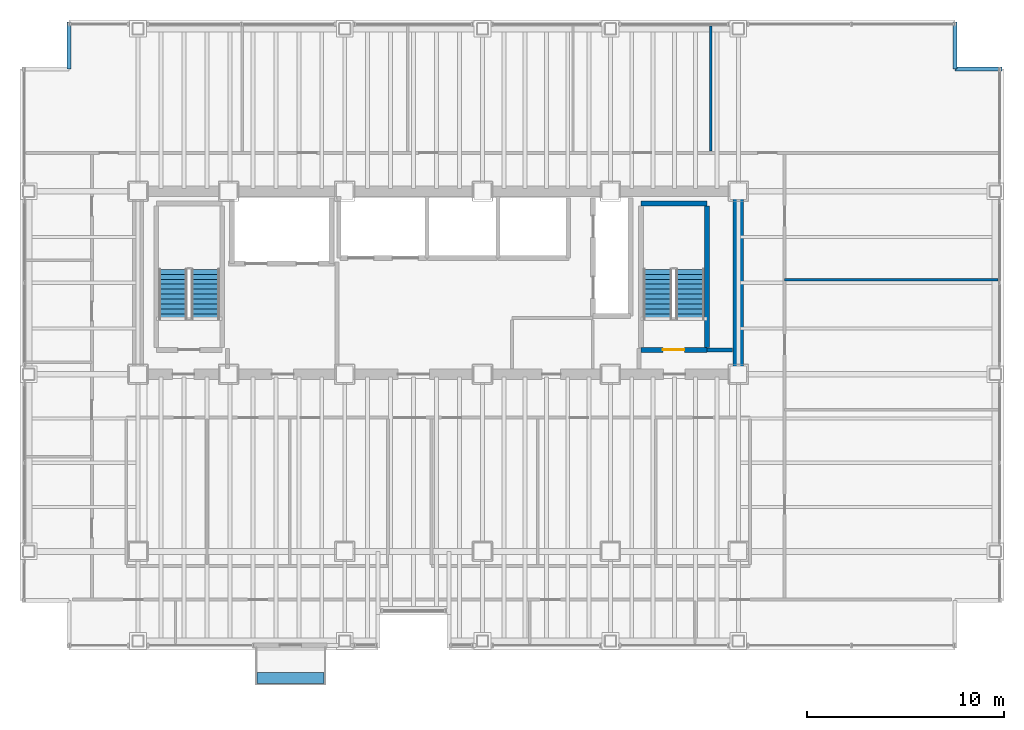
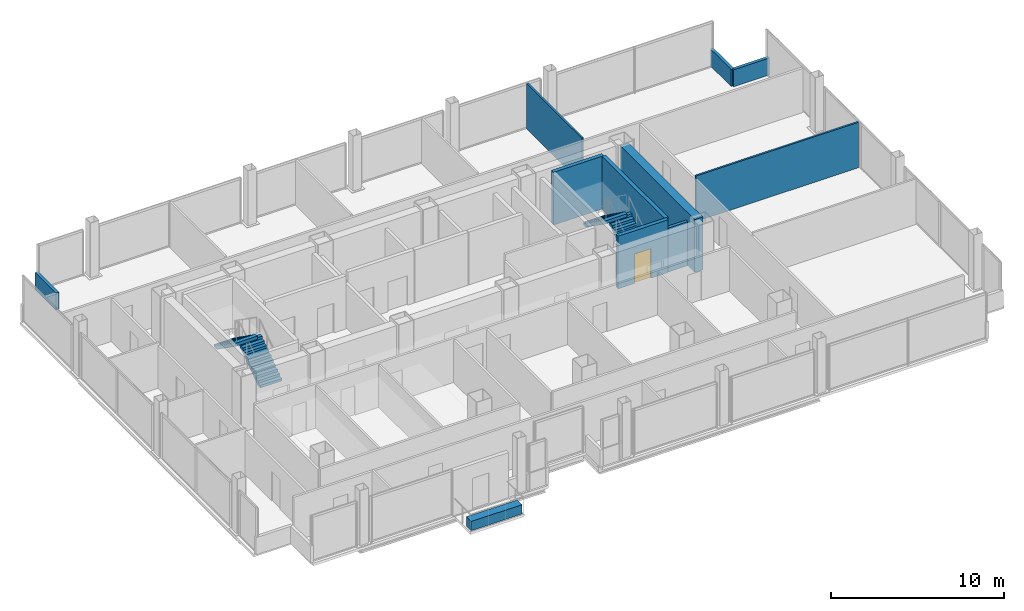
# One storey, part 19 of 20: 10 walls, 4 stair flights, 1 discrete accessory, 1 door, 1 opening, 2 elements without a shape of their own.
"""IFC4 building model written with IfcOpenShell, lengths in metres."""

import ifcopenshell
import ifcopenshell.guid

model = None  # the IFC model being written
_history = None  # IfcOwnerHistory: only IFC2X3 demands one
_inside = {}  # id of a spatial element -> (the spatial element, [elements in it])
_under = {}  # id of a project, library or spatial element -> (it, [spatial elements below it])
_declared = {}  # id of a project -> (the project, [libraries it declares])
_typed = {}  # id of a type object -> (the type object, [elements of that type])
_made_of = {}  # id of a material, layer set ... -> (it, [elements and type objects made of it])


def new_model(schema):
    """Start an empty IFC model of exactly this schema.

    Asked for "IFC4X3", IfcOpenShell would pick the latest addendum, in which some entities
    have other attributes; the version numbers below select the first issue.
    IFC2X3 requires an IfcOwnerHistory on every rooted entity: one is made here for all.
    """
    global model, _history
    if schema == "IFC4X3":
        model = ifcopenshell.file(schema_version=(4, 3, 0, 0))
    else:
        model = ifcopenshell.file(schema=schema)
    _inside.clear()
    _under.clear()
    _declared.clear()
    _typed.clear()
    _made_of.clear()
    _history = None
    if model.schema == "IFC2X3":
        org = make("IfcOrganization", Name="unknown")
        user = make(
            "IfcPersonAndOrganization",
            ThePerson=make("IfcPerson", FamilyName="unknown"),
            TheOrganization=org,
        )
        app = make(
            "IfcApplication",
            ApplicationDeveloper=org,
            Version="unknown",
            ApplicationFullName="unknown",
            ApplicationIdentifier="unknown",
        )
        _history = make(
            "IfcOwnerHistory",
            OwningUser=user,
            OwningApplication=app,
            ChangeAction="ADDED",
            CreationDate=0,
        )
    return model


def make(cls, **values):
    """One entity of the class cls with the attributes given. An attribute that is None is left unset."""
    return model.create_entity(
        cls, **{name: value for name, value in values.items() if value is not None}
    )


def rooted(cls, **values):
    """An entity with a GlobalId (a new one), such as an element, a storey or a relation."""
    return make(cls, GlobalId=ifcopenshell.guid.new(), OwnerHistory=_history, **values)


def si_unit(unit_type, name, prefix=None):
    """IfcSIUnit, for example si_unit("LENGTHUNIT", "METRE", prefix="MILLI")."""
    return make("IfcSIUnit", UnitType=unit_type, Prefix=prefix, Name=name)


def assignment(units):
    """IfcUnitAssignment: the units of a project."""
    return None if units is None else make("IfcUnitAssignment", Units=units)


def point(xyz):
    """IfcCartesianPoint."""
    return None if xyz is None else make("IfcCartesianPoint", Coordinates=xyz)


def direction(xyz):
    """IfcDirection."""
    return None if xyz is None else make("IfcDirection", DirectionRatios=xyz)


def frame(location, z_axis=None, x_axis=None):
    """IfcAxis2Placement3D, a coordinate frame: its origin and axes. An axis left out is left unset."""
    return make(
        "IfcAxis2Placement3D",
        Location=point(location),
        Axis=direction(z_axis),
        RefDirection=direction(x_axis),
    )


def frame_2d(location, x_axis=None):
    """IfcAxis2Placement2D, a coordinate frame in the plane: its origin and x axis."""
    return make(
        "IfcAxis2Placement2D", Location=point(location), RefDirection=direction(x_axis)
    )


def origin():
    """The frame at (0, 0, 0) with its axes left unset."""
    return frame((0.0, 0.0, 0.0))


def origin_2d():
    """The frame at (0, 0) in the plane with its x axis left unset."""
    return frame_2d((0.0, 0.0))


def place(relative_to, where):
    """IfcLocalPlacement: puts the frame where relative to a parent placement (None: the world)."""
    return make(
        "IfcLocalPlacement", PlacementRelTo=relative_to, RelativePlacement=where
    )


def context(
    kind, dimensions, precision=None, world=None, true_north=None, identifier=None
):
    """IfcGeometricRepresentationContext, for example the 3D "Model" context."""
    return make(
        "IfcGeometricRepresentationContext",
        ContextIdentifier=identifier,
        ContextType=kind,
        CoordinateSpaceDimension=dimensions,
        Precision=precision,
        WorldCoordinateSystem=world,
        TrueNorth=true_north,
    )


def subcontext(parent, identifier, kind, view, scale=None):
    """IfcGeometricRepresentationSubContext, for example "Body" below "Model"."""
    return make(
        "IfcGeometricRepresentationSubContext",
        ContextIdentifier=identifier,
        ContextType=kind,
        ParentContext=parent,
        TargetScale=scale,
        TargetView=view,
    )


def project(units=None, contexts=None):
    """IfcProject with its units and contexts."""
    return rooted(
        "IfcProject",
        Name="project",
        RepresentationContexts=contexts,
        UnitsInContext=assignment(units),
    )


def spatial(cls, under=None, at=None, **own):
    """A site, building, storey or space (cls), placed at a placement, below another one or the project."""
    s = rooted(cls, ObjectPlacement=at, **own)
    if under is not None:
        _under.setdefault(under.id(), (under, []))[1].append(s)
    return s


def polyline(points):
    """IfcPolyline through the points."""
    return make("IfcPolyline", Points=[point(p) for p in points])


def profile(cls, at=None, kind="AREA", **sizes):
    """A parametric profile (cls). Its sizes go by their IFC names, for example OverallWidth=200.0."""
    return make(cls, ProfileType=kind, Position=at, **sizes)


def rectangle(**sizes):
    """IfcRectangleProfileDef."""
    return profile("IfcRectangleProfileDef", **sizes)


def outline(outer, holes=None, kind="AREA"):
    """IfcArbitraryClosedProfileDef: a profile drawn as a closed curve; with holes, ...WithVoids."""
    if holes is None:
        return make("IfcArbitraryClosedProfileDef", ProfileType=kind, OuterCurve=outer)
    return make(
        "IfcArbitraryProfileDefWithVoids",
        ProfileType=kind,
        OuterCurve=outer,
        InnerCurves=holes,
    )


def extrude(swept, where, along, depth):
    """IfcExtrudedAreaSolid: the profile swept, set in the frame where, extruded along a direction by depth."""
    return make(
        "IfcExtrudedAreaSolid",
        SweptArea=swept,
        Position=where,
        ExtrudedDirection=direction(along),
        Depth=depth,
    )


def shape(context_of_items, identifier, shape_type, items):
    """IfcShapeRepresentation: the items that make up one representation, for example the "Body"."""
    return make(
        "IfcShapeRepresentation",
        ContextOfItems=context_of_items,
        RepresentationIdentifier=identifier,
        RepresentationType=shape_type,
        Items=items,
    )


def material(Name=None, Category=None):
    """IfcMaterial."""
    return make("IfcMaterial", Name=Name, Category=Category)


def layer(
    of_material, thickness, ventilated=None, Name=None, Category=None, Priority=None
):
    """IfcMaterialLayer: one layer of a wall or slab, of a material (None: an air gap)."""
    return make(
        "IfcMaterialLayer",
        Material=of_material,
        LayerThickness=thickness,
        IsVentilated=ventilated,
        Name=Name,
        Category=Category,
        Priority=Priority,
    )


def layer_set(layers, Name=None):
    """IfcMaterialLayerSet."""
    return make("IfcMaterialLayerSet", MaterialLayers=layers, LayerSetName=Name)


def made_of(thing, what):
    """Note that an element or type object is made of a material, layer set ...; save() writes the relation."""
    if what is not None:
        _made_of.setdefault(what.id(), (what, []))[1].append(thing)
    return thing


def type_object(cls, material=None, **own):
    """A type object (cls), such as IfcWallType, which elements share."""
    return made_of(rooted(cls, **own), material)


def element(
    cls,
    number,
    at=None,
    inside=None,
    cuts=None,
    type_object=None,
    material=None,
    context=None,
    identifier="Body",
    shape_type=None,
    held_by="IfcProductDefinitionShape",
    body=None,
    shapes=None,
    **own,
):
    """One element of the class cls, such as IfcWall. Its Tag is "e" and its number.

    at: its placement. inside: the storey or other place that contains it. cuts: it is an
    opening in that element (IfcRelVoidsElement). A single representation is given by context,
    identifier, shape_type and body (its items); several are given by shapes. held_by: the class
    of the entity that holds the representations. save() writes the other relations.
    """
    e = rooted(cls, Tag="e%d" % number, ObjectPlacement=at, **own)
    if body is not None:
        shapes = [shape(context, identifier, shape_type, body)]
    if shapes is not None:
        e.Representation = make(held_by, Representations=shapes)
    if inside is not None:
        _inside.setdefault(inside.id(), (inside, []))[1].append(e)
    if cuts is not None:
        rooted(
            "IfcRelVoidsElement", RelatingBuildingElement=cuts, RelatedOpeningElement=e
        )
    if type_object is not None:
        _typed.setdefault(type_object.id(), (type_object, []))[1].append(e)
    return made_of(e, material)


def fill(opening, filler):
    """IfcRelFillsElement: the door or window that sits in an opening."""
    return rooted(
        "IfcRelFillsElement",
        RelatingOpeningElement=opening,
        RelatedBuildingElement=filler,
    )


def aggregate(whole, parts):
    """IfcRelAggregates: a whole, such as a stair, and the parts it consists of."""
    return rooted("IfcRelAggregates", RelatingObject=whole, RelatedObjects=parts)


def save(model, path):
    """Write the relations noted so far, then the file.

    IfcRelAggregates (storeys below a building ...), IfcRelContainedInSpatialStructure (elements
    in a storey), IfcRelDefinesByType, IfcRelAssociatesMaterial and IfcRelDeclares: one each for
    every whole, place, type object, material and project.
    """
    for whole, parts in _under.values():
        aggregate(whole, parts)
    for where, things in _inside.values():
        rooted(
            "IfcRelContainedInSpatialStructure",
            RelatedElements=things,
            RelatingStructure=where,
        )
    for kind, things in _typed.values():
        rooted("IfcRelDefinesByType", RelatedObjects=things, RelatingType=kind)
    for what, things in _made_of.values():
        rooted("IfcRelAssociatesMaterial", RelatedObjects=things, RelatingMaterial=what)
    for by, libraries in _declared.values():
        rooted("IfcRelDeclares", RelatingContext=by, RelatedDefinitions=libraries)
    model.write(path)


model = new_model("IFC4")

# Units and contexts
model_context = context("Model", 3, precision=1e-05, world=origin(), true_north=direction((0.0, 1.0)))
body_context = subcontext(model_context, "Body", "Model", "MODEL_VIEW")
ifc_project = project(units=[si_unit("LENGTHUNIT", "METRE"), si_unit("AREAUNIT", "SQUARE_METRE"), si_unit("VOLUMEUNIT", "CUBIC_METRE"), si_unit("PLANEANGLEUNIT", "RADIAN"), si_unit("MASSUNIT", "GRAM", prefix="KILO")], contexts=[model_context])

# Site, building, storey
site_placement = place(None, origin())
site = spatial("IfcSite", under=ifc_project, at=site_placement, CompositionType="ELEMENT")
building_placement = place(site_placement, origin())
building = spatial("IfcBuilding", under=site, at=building_placement, Name="Noeulbin Bourse Tower", CompositionType="ELEMENT")
storey_placement = place(building_placement, frame((0.0, 0.0, 57.699951171875)))
storey = spatial("IfcBuildingStorey", under=building, at=storey_placement, Name="L14", CompositionType="ELEMENT", Elevation=57.699951171875)

# Walls
ifc_material_1 = material(Name="Concrete C60/75", Category="concrete")
ifc_layer_1 = layer(ifc_material_1, 0.550048828125)
ifc_layer_set_1 = layer_set([ifc_layer_1], Name="Concrete C60/75")
wall_type_1 = type_object("IfcWallType", Name="WAL-CORE-550", PredefinedType="SHEAR", material=ifc_layer_set_1)
wall_1_placement = place(storey_placement, frame((44.0, 29.35009765625, 0.0), z_axis=(0.0, 0.0, 1.0), x_axis=(0.0, 1.0, 0.0)))
element("IfcWall", 1, at=wall_1_placement, inside=storey, type_object=wall_type_1, Name="Rear Core East Shear Wall L14", PredefinedType="SHEAR", context=body_context, shape_type="SweptSolid", body=[
    extrude(rectangle(XDim=8.599853515625, YDim=0.550048828125, at=frame_2d((4.2998046875, 0.0))), origin(), (0.0, 0.0, 1.0), 3.719970703125),
])
ifc_material_2 = material(Name="Concrete C40/50", Category="concrete")
ifc_layer_2 = layer(ifc_material_2, 0.199951171875)
ifc_layer_set_2 = layer_set([ifc_layer_2], Name="Concrete C40/50")
wall_type_2 = type_object("IfcWallType", Name="WAL-FIRE-200", PredefinedType="STANDARD", material=ifc_layer_set_2)
wall_2_placement = place(storey_placement, frame((42.39990234375, 30.239990234375, 0.0), z_axis=(0.0, 0.0, 1.0), x_axis=(1.0, 0.0, 0.0)))
element("IfcWall", 2, at=wall_2_placement, inside=storey, type_object=wall_type_2, Name="Interior Partition Wall L14-01", PredefinedType="STANDARD", context=body_context, shape_type="SweptSolid", body=[
    extrude(rectangle(XDim=1.315185546875, YDim=0.199951171875, at=frame_2d((0.65771484375, 0.0))), origin(), (0.0, 0.0, 1.0), 3.10009765625),
])
ifc_layer_3 = layer(ifc_material_2, 0.199951171875)
ifc_layer_set_3 = layer_set([ifc_layer_3], Name="Concrete C40/50")
wall_type_3 = type_object("IfcWallType", Name="WAL-PAR-200", PredefinedType="PARAPET", material=ifc_layer_set_3)
for number, where, z_axis, x_axis, name in (
    (3, (10.0, 44.5, 0.0), (0.0, 0.0, 1.0), (0.0, 1.0, 0.0), "Corner Notch Parapet L14-NW2"),
    (4, (55.0, 46.89990234375, 0.0), (0.0, 0.0, 1.0), (0.0, -1.0, 0.0), "Corner Notch Parapet L14-NE1"),
    (5, (55.0, 44.5, 0.0), (0.0, 0.0, 1.0), (1.0, 0.0, 0.0), "Corner Notch Parapet L14-NE2"),
):
    element("IfcWall", number, at=place(storey_placement, frame(where, z_axis=z_axis, x_axis=x_axis)), inside=storey, type_object=wall_type_3, Name=name, PredefinedType="PARAPET", context=body_context, shape_type="SweptSolid", body=[
        extrude(rectangle(XDim=2.39990234375, YDim=0.199951171875, at=frame_2d((1.199951171875, 0.0))), origin(), (0.0, 0.0, 1.0), 1.199951171875),
    ])
ifc_material_3 = material(Name="Steel Stud Gypsum Partition", Category="steel")
ifc_layer_4 = layer(ifc_material_3, 0.1201171875)
ifc_layer_set_4 = layer_set([ifc_layer_4], Name="Steel Stud Gypsum Partition")
wall_type_4 = type_object("IfcWallType", Name="WAL-PRT-120", PredefinedType="PARTITIONING", material=ifc_layer_set_4)
wall_3_placement = place(storey_placement, frame((46.35009765625, 33.800048828125, 0.0), z_axis=(0.0, 0.0, 1.0), x_axis=(1.0, 0.0, 0.0)))
element("IfcWall", 6, at=wall_3_placement, inside=storey, type_object=wall_type_4, Name="Interior Partition Wall L14-11", PredefinedType="PARTITIONING", context=body_context, shape_type="SweptSolid", body=[
    extrude(rectangle(XDim=10.83984375, YDim=0.1201171875, at=frame_2d((5.419921875, 0.0))), origin(), (0.0, 0.0, 1.0), 3.212158203125),
])
wall_4_placement = place(storey_placement, frame((42.60009765625, 40.3349609375, 0.0), z_axis=(0.0, 0.0, 1.0), x_axis=(0.0, 1.0, 0.0)))
element("IfcWall", 7, at=wall_4_placement, inside=storey, type_object=wall_type_4, Name="Interior Partition Wall L14-34", PredefinedType="PARTITIONING", context=body_context, shape_type="SweptSolid", body=[
    extrude(rectangle(XDim=6.35498046875, YDim=0.1201171875, at=frame_2d((3.177490234375, 0.0))), origin(), (0.0, 0.0, 1.0), 3.212158203125),
])

# Wall, opening, door
ifc_layer_5 = layer(ifc_material_2, 0.25)
ifc_layer_set_5 = layer_set([ifc_layer_5], Name="Concrete C40/50")
wall_type_5 = type_object("IfcWallType", Name="WAL-SHFT-250", PredefinedType="STANDARD", material=ifc_layer_set_5)
wall_5_placement = place(storey_placement, frame((39.06005859375, 30.235107421875, 0.0), z_axis=(0.0, 0.0, 1.0), x_axis=(1.0, 0.0, 0.0)))
wall_5 = element("IfcWall", 8, at=wall_5_placement, inside=storey, type_object=wall_type_5, Name="Stair ST-2 South Shaft Wall L14", PredefinedType="STANDARD", context=body_context, shape_type="SweptSolid", body=[
    extrude(rectangle(XDim=3.33984375, YDim=0.25, at=frame_2d((1.669921875, 0.0))), origin(), (0.0, 0.0, 1.0), 3.719970703125),
])
opening_placement = place(wall_5_placement, frame((1.10009765625, 0.0, 0.0)))
opening = element("IfcOpeningElement", 9, at=opening_placement, cuts=wall_5, Name="Opening FD-11", PredefinedType="OPENING", context=body_context, shape_type="SweptSolid", body=[
    extrude(rectangle(XDim=1.10009765625, YDim=2.080078125, at=frame_2d((0.550048828125, 1.0400390625))), frame((0.0, 0.135009765625, 0.0), z_axis=(0.0, -1.0, 0.0), x_axis=(1.0, 0.0, 0.0)), (0.0, 0.0, 1.0), 0.27001953125),
])
ifc_material_4 = material(Name="Fire-Rated Insulated Steel", Category="steel")
door_type = type_object("IfcDoorType", Name="DR-FD60-1100", OperationType="SINGLE_SWING_LEFT", PredefinedType="DOOR", material=ifc_material_4)
door_placement = place(opening_placement, origin())
door = element("IfcDoor", 10, at=door_placement, inside=storey, type_object=door_type, Name="Protected Stair Entry Door ST2-L14", OperationType="SINGLE_SWING_RIGHT", OverallHeight=2.080078125, OverallWidth=1.10009765625, PredefinedType="DOOR", context=body_context, shape_type="SweptSolid", body=[
    extrude(rectangle(XDim=1.10009765625, YDim=2.080078125, at=frame_2d((0.550048828125, 1.0400390625))), frame((0.0, 0.02490234375, 0.0), z_axis=(0.0, -1.0, 0.0), x_axis=(1.0, 0.0, 0.0)), (0.0, 0.0, 1.0), 0.050048828125),
])
fill(opening, door)

# Walls
wall_6_placement = place(storey_placement, frame((39.06005859375, 37.6689453125, 0.0), z_axis=(0.0, 0.0, 1.0), x_axis=(1.0, 0.0, 0.0)))
element("IfcWall", 11, at=wall_6_placement, inside=storey, type_object=wall_type_5, Name="Stair ST-2 North Shaft Wall L14", PredefinedType="STANDARD", context=body_context, shape_type="SweptSolid", body=[
    extrude(rectangle(XDim=3.33984375, YDim=0.25, at=frame_2d((1.669921875, 0.0))), origin(), (0.0, 0.0, 1.0), 3.719970703125),
])
wall_7_placement = place(storey_placement, frame((42.405029296875, 30.360107421875, 0.0), z_axis=(0.0, 0.0, 1.0), x_axis=(0.0, 1.0, 0.0)))
element("IfcWall", 12, at=wall_7_placement, inside=storey, type_object=wall_type_5, Name="Stair ST-2 East Shaft Wall L14", PredefinedType="STANDARD", context=body_context, shape_type="SweptSolid", body=[
    extrude(rectangle(XDim=7.183837890625, YDim=0.25, at=frame_2d((3.591796875, 0.0))), origin(), (0.0, 0.0, 1.0), 3.719970703125),
])

# Stair, stair flights
stair_type = type_object("IfcStairType", Name="STR-CORE-1560", PredefinedType="HALF_TURN_STAIR", material=ifc_material_2)
stair_1_placement = place(storey_placement, origin())
stair_1 = element("IfcStair", 13, at=stair_1_placement, inside=storey, type_object=stair_type, Name="L14 ST-1", PredefinedType="HALF_TURN_STAIR")
stair_flight_type = type_object("IfcStairFlightType", Name="SFL-CORE-1560", PredefinedType="STRAIGHT", material=ifc_material_2)
stair_flight_1_placement = place(storey_placement, frame((16.925048828125, 31.81005859375, 0.0), z_axis=(0.0, 0.0, 1.0), x_axis=(0.0, 1.0, 0.0)))
stair_flight_1 = element("IfcStairFlight", 14, at=stair_flight_1_placement, type_object=stair_flight_type, Name="ST-1 flight 1", NumberOfRisers=11, NumberOfTreads=10, PredefinedType="STRAIGHT", RiserHeight=0.177272727, TreadLength=0.252, context=body_context, shape_type="SweptSolid", body=[
    extrude(outline(polyline([(0.0, 0.0), (0.0, 0.17724609375), (0.251953125, 0.17724609375), (0.251953125, 0.3544921875), (0.50390625, 0.3544921875), (0.50390625, 0.53173828125), (0.756103515625, 0.53173828125), (0.756103515625, 0.708984375), (1.008056640625, 0.708984375), (1.008056640625, 0.886474609375), (1.260009765625, 0.886474609375), (1.260009765625, 1.063720703125), (1.511962890625, 1.063720703125), (1.511962890625, 1.240966796875), (1.763916015625, 1.240966796875), (1.763916015625, 1.418212890625), (2.01611328125, 1.418212890625), (2.01611328125, 1.595458984375), (2.26806640625, 1.595458984375), (2.26806640625, 1.772705078125), (2.52001953125, 1.772705078125), (2.52001953125, 1.949951171875), (2.52001953125, 1.552734375), (0.312744140625, 0.0), (0.0, 0.0)])), frame((0.0, 0.72509765625, 0.0), z_axis=(0.0, -1.0, 0.0), x_axis=(1.0, 0.0, 0.0)), (0.0, 0.0, 1.0), 1.449951171875),
])
stair_flight_2_placement = place(storey_placement, frame((15.27490234375, 34.330078125, 1.949951171875), z_axis=(0.0, 0.0, 1.0), x_axis=(0.0, -1.0, 0.0)))
stair_flight_2 = element("IfcStairFlight", 15, at=stair_flight_2_placement, type_object=stair_flight_type, Name="ST-1 flight 2", NumberOfRisers=11, NumberOfTreads=10, PredefinedType="STRAIGHT", RiserHeight=0.177272727, TreadLength=0.252, context=body_context, shape_type="SweptSolid", body=[
    extrude(outline(polyline([(0.0, 0.0), (0.0, 0.17724609375), (0.251953125, 0.17724609375), (0.251953125, 0.3544921875), (0.50390625, 0.3544921875), (0.50390625, 0.53173828125), (0.756103515625, 0.53173828125), (0.756103515625, 0.708984375), (1.008056640625, 0.708984375), (1.008056640625, 0.886474609375), (1.260009765625, 0.886474609375), (1.260009765625, 1.063720703125), (1.511962890625, 1.063720703125), (1.511962890625, 1.240966796875), (1.763916015625, 1.240966796875), (1.763916015625, 1.418212890625), (2.01611328125, 1.418212890625), (2.01611328125, 1.595458984375), (2.26806640625, 1.595458984375), (2.26806640625, 1.772705078125), (2.52001953125, 1.772705078125), (2.52001953125, 1.949951171875), (2.52001953125, 1.552734375), (0.312744140625, 0.0), (0.0, 0.0)])), frame((0.0, 0.72509765625, 0.0), z_axis=(0.0, -1.0, 0.0), x_axis=(1.0, 0.0, 0.0)), (0.0, 0.0, 1.0), 1.449951171875),
])
aggregate(stair_1, [stair_flight_1, stair_flight_2])

stair_2_placement = place(storey_placement, origin())
stair_2 = element("IfcStair", 16, at=stair_2_placement, inside=storey, type_object=stair_type, Name="L14 ST-2", PredefinedType="HALF_TURN_STAIR")
stair_flight_3_placement = place(storey_placement, frame((41.554931640625, 31.81005859375, 0.0), z_axis=(0.0, 0.0, 1.0), x_axis=(0.0, 1.0, 0.0)))
stair_flight_3 = element("IfcStairFlight", 17, at=stair_flight_3_placement, type_object=stair_flight_type, Name="ST-2 flight 1", NumberOfRisers=11, NumberOfTreads=10, PredefinedType="STRAIGHT", RiserHeight=0.177272727, TreadLength=0.252, context=body_context, shape_type="SweptSolid", body=[
    extrude(outline(polyline([(0.0, 0.0), (0.0, 0.17724609375), (0.251953125, 0.17724609375), (0.251953125, 0.3544921875), (0.50390625, 0.3544921875), (0.50390625, 0.53173828125), (0.756103515625, 0.53173828125), (0.756103515625, 0.708984375), (1.008056640625, 0.708984375), (1.008056640625, 0.886474609375), (1.260009765625, 0.886474609375), (1.260009765625, 1.063720703125), (1.511962890625, 1.063720703125), (1.511962890625, 1.240966796875), (1.763916015625, 1.240966796875), (1.763916015625, 1.418212890625), (2.01611328125, 1.418212890625), (2.01611328125, 1.595458984375), (2.26806640625, 1.595458984375), (2.26806640625, 1.772705078125), (2.52001953125, 1.772705078125), (2.52001953125, 1.949951171875), (2.52001953125, 1.552734375), (0.312744140625, 0.0), (0.0, 0.0)])), frame((0.0, 0.72509765625, 0.0), z_axis=(0.0, -1.0, 0.0), x_axis=(1.0, 0.0, 0.0)), (0.0, 0.0, 1.0), 1.449951171875),
])
stair_flight_4_placement = place(storey_placement, frame((39.905029296875, 34.330078125, 1.949951171875), z_axis=(0.0, 0.0, 1.0), x_axis=(0.0, -1.0, 0.0)))
stair_flight_4 = element("IfcStairFlight", 18, at=stair_flight_4_placement, type_object=stair_flight_type, Name="ST-2 flight 2", NumberOfRisers=11, NumberOfTreads=10, PredefinedType="STRAIGHT", RiserHeight=0.177272727, TreadLength=0.252, context=body_context, shape_type="SweptSolid", body=[
    extrude(outline(polyline([(0.0, 0.0), (0.0, 0.17724609375), (0.251953125, 0.17724609375), (0.251953125, 0.3544921875), (0.50390625, 0.3544921875), (0.50390625, 0.53173828125), (0.756103515625, 0.53173828125), (0.756103515625, 0.708984375), (1.008056640625, 0.708984375), (1.008056640625, 0.886474609375), (1.260009765625, 0.886474609375), (1.260009765625, 1.063720703125), (1.511962890625, 1.063720703125), (1.511962890625, 1.240966796875), (1.763916015625, 1.240966796875), (1.763916015625, 1.418212890625), (2.01611328125, 1.418212890625), (2.01611328125, 1.595458984375), (2.26806640625, 1.595458984375), (2.26806640625, 1.772705078125), (2.52001953125, 1.772705078125), (2.52001953125, 1.949951171875), (2.52001953125, 1.552734375), (0.312744140625, 0.0), (0.0, 0.0)])), frame((0.0, 0.72509765625, 0.0), z_axis=(0.0, -1.0, 0.0), x_axis=(1.0, 0.0, 0.0)), (0.0, 0.0, 1.0), 1.449951171875),
])
aggregate(stair_2, [stair_flight_3, stair_flight_4])

# Discrete accessory
ifc_material_5 = material(Name="Architectural GFRC Concrete C40/50", Category="concrete")
ifc_layer_6 = layer(ifc_material_5, 0.64990234375)
ifc_layer_set_6 = layer_set([ifc_layer_6], Name="Architectural GFRC Concrete C40/50")
discrete_accessory_type = type_object("IfcDiscreteAccessoryType", Name="PLANTER-BOX-3600", PredefinedType="USERDEFINED", material=ifc_layer_set_6)
discrete_accessory_placement = place(storey_placement, frame((21.25, 13.56005859375, 0.0), z_axis=(0.0, 0.0, 1.0), x_axis=(1.0, 0.0, 0.0)))
element("IfcDiscreteAccessory", 19, at=discrete_accessory_placement, inside=storey, type_object=discrete_accessory_type, Name="Integrated Balcony Tree Planter Box L14", ObjectType="PLANTER", PredefinedType="USERDEFINED", context=body_context, shape_type="SweptSolid", body=[
    extrude(rectangle(XDim=3.39990234375, YDim=0.550048828125, at=origin_2d()), origin(), (0.0, 0.0, 1.0), 0.64990234375),
])

save(model, "model.ifc")
